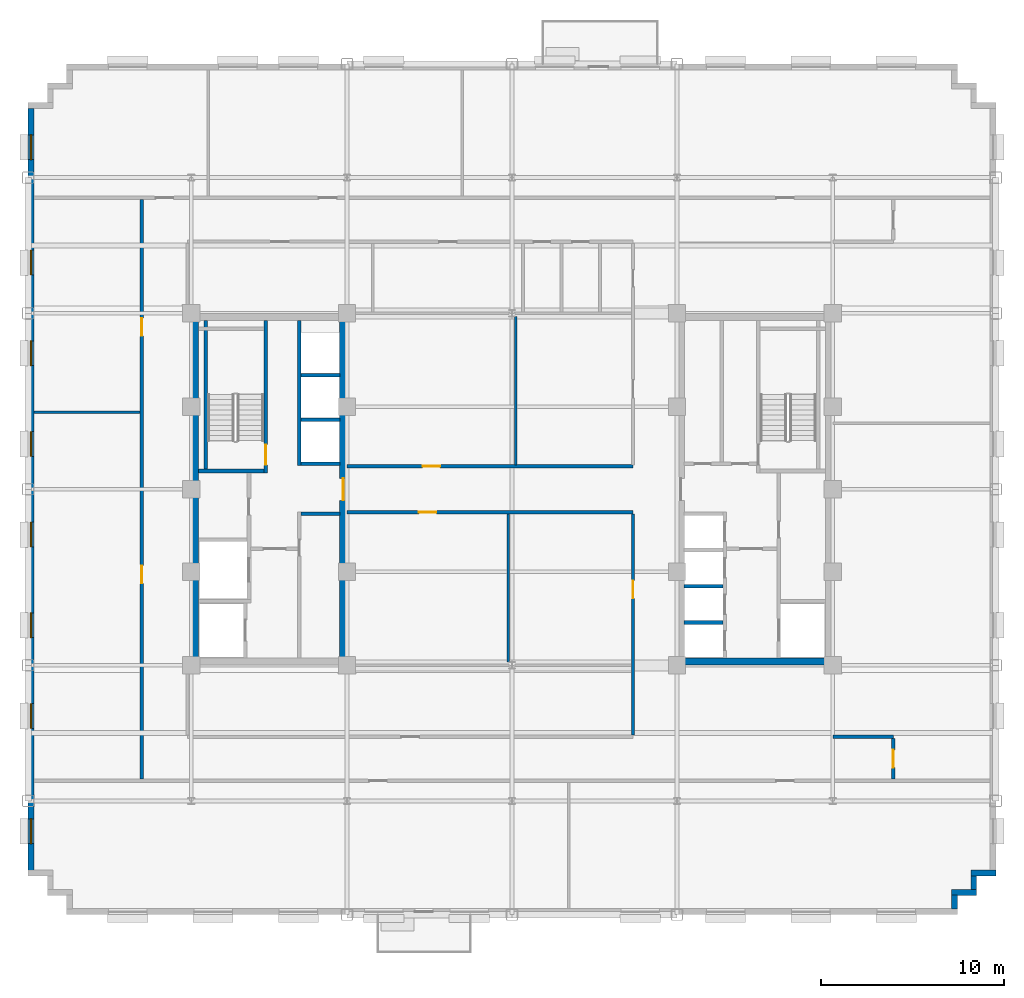
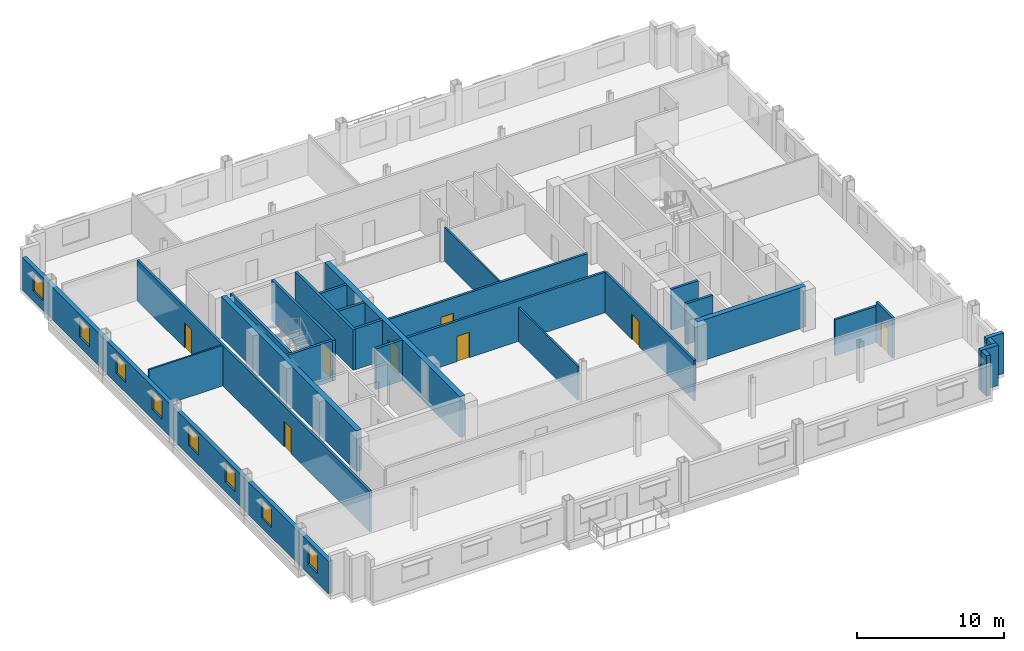
# One storey, part 7 of 14: 27 walls, 8 doors, 8 windows, 16 openings.
"""IFC4 building model written with IfcOpenShell, lengths in metres."""

from ifc_helpers import new_model, si_unit, direction, frame, frame_2d, origin, place, context, subcontext, project, spatial, rectangle, extrude, source, transform, mapped, material, layer, layer_set, type_object, type_shapes, element, fill, save


model = new_model("IFC4")

# Units and contexts
model_context = context("Model", 3, precision=1e-05, world=origin(), true_north=direction((0.0, 1.0)))
body_context = subcontext(model_context, "Body", "Model", "MODEL_VIEW")
ifc_project = project(units=[si_unit("LENGTHUNIT", "METRE"), si_unit("AREAUNIT", "SQUARE_METRE"), si_unit("VOLUMEUNIT", "CUBIC_METRE"), si_unit("PLANEANGLEUNIT", "RADIAN"), si_unit("MASSUNIT", "GRAM", prefix="KILO")], contexts=[model_context])

# Site, building, storey
site_placement = place(None, origin())
site = spatial("IfcSite", under=ifc_project, at=site_placement, CompositionType="ELEMENT")
building_placement = place(site_placement, origin())
building = spatial("IfcBuilding", under=site, at=building_placement, Name="Nuvemarco Arch Tower", CompositionType="ELEMENT")
storey_placement = place(building_placement, frame((0.0, 0.0, 142.10009765625)))
storey = spatial("IfcBuildingStorey", under=building, at=storey_placement, Name="L37", CompositionType="ELEMENT", Elevation=142.10009765625)

# Walls
ifc_material_1 = material(Name="Precast concrete C45/55", Category="concrete")
ifc_layer_1 = layer(ifc_material_1, 0.320068359375, Name="EW-MID-320")
ifc_layer_set_1 = layer_set([ifc_layer_1], Name="Precast concrete C45/55")
wall_type_1 = type_object("IfcWallType", Name="EW-MID-320", PredefinedType="STANDARD", material=ifc_layer_set_1)
wall_1_placement = place(storey_placement, frame((24.139892578125, -22.884033203125, 0.0), z_axis=(0.0, 0.0, 1.0), x_axis=(0.0, 1.0, 0.0)))
element("IfcWall", 1, at=wall_1_placement, inside=storey, type_object=wall_type_1, Name="L37 exterior precast facade wall 2", PredefinedType="STANDARD", context=body_context, shape_type="SweptSolid", body=[
    extrude(rectangle(XDim=0.738037109375, YDim=0.320068359375, at=frame_2d((0.369140625, 0.0))), origin(), (0.0, 0.0, 1.0), 3.35986328125),
])
wall_2_placement = place(storey_placement, frame((23.97998046875, -21.989990234375, 0.0), z_axis=(0.0, 0.0, 1.0), x_axis=(1.0, 0.0, 0.0)))
element("IfcWall", 2, at=wall_2_placement, inside=storey, type_object=wall_type_1, Name="L37 exterior precast facade wall 3", PredefinedType="STANDARD", context=body_context, shape_type="SweptSolid", body=[
    extrude(rectangle(XDim=1.3701171875, YDim=0.320068359375, at=frame_2d((0.68505859375, 0.0))), origin(), (0.0, 0.0, 1.0), 3.35986328125),
])
wall_3_placement = place(storey_placement, frame((25.18994140625, -21.833984375, 0.0), z_axis=(0.0, 0.0, 1.0), x_axis=(0.0, 1.0, 0.0)))
element("IfcWall", 3, at=wall_3_placement, inside=storey, type_object=wall_type_1, Name="L37 exterior precast facade wall 4", PredefinedType="STANDARD", context=body_context, shape_type="SweptSolid", body=[
    extrude(rectangle(XDim=0.738037109375, YDim=0.320068359375, at=frame_2d((0.369140625, 0.0))), origin(), (0.0, 0.0, 1.0), 3.35986328125),
])
wall_4_placement = place(storey_placement, frame((25.030029296875, -20.93994140625, 0.0), z_axis=(0.0, 0.0, 1.0), x_axis=(1.0, 0.0, 0.0)))
element("IfcWall", 4, at=wall_4_placement, inside=storey, type_object=wall_type_1, Name="L37 exterior precast facade wall 5", PredefinedType="STANDARD", context=body_context, shape_type="SweptSolid", body=[
    extrude(rectangle(XDim=1.369873046875, YDim=0.320068359375, at=frame_2d((0.68505859375, 0.0))), origin(), (0.0, 0.0, 1.0), 3.35986328125),
])

# Wall, openings, windows
wall_5_placement = place(storey_placement, frame((-26.239990234375, -20.783935546875, 0.0), z_axis=(0.0, 0.0, 1.0), x_axis=(0.0, 1.0, 0.0)))
wall_5 = element("IfcWall", 5, at=wall_5_placement, inside=storey, type_object=wall_type_1, Name="L37 exterior precast facade wall 16", PredefinedType="STANDARD", context=body_context, shape_type="SweptSolid", body=[
    extrude(rectangle(XDim=41.56787109375, YDim=0.320068359375, at=frame_2d((20.783935546875, 0.0))), origin(), (0.0, 0.0, 1.0), 2.704833984375),
])
opening_1_placement = place(wall_5_placement, frame((1.447998046875, 0.0, 0.800048828125)))
opening_1 = element("IfcOpeningElement", 6, at=opening_1_placement, cuts=wall_5, Name="Opening WN-6", PredefinedType="OPENING", context=body_context, shape_type="SweptSolid", body=[
    extrude(rectangle(XDim=1.35009765625, YDim=1.56005859375, at=frame_2d((0.675048828125, 0.780029296875))), frame((0.0, 0.169921875, 0.0), z_axis=(0.0, -1.0, 0.0), x_axis=(1.0, 0.0, 0.0)), (0.0, 0.0, 1.0), 0.340087890625),
])
opening_2_placement = place(wall_5_placement, frame((7.743896484375, 0.0, 0.800048828125)))
opening_2 = element("IfcOpeningElement", 7, at=opening_2_placement, cuts=wall_5, Name="Opening WN-6", PredefinedType="OPENING", context=body_context, shape_type="SweptSolid", body=[
    extrude(rectangle(XDim=1.35009765625, YDim=1.56005859375, at=frame_2d((0.675048828125, 0.780029296875))), frame((0.0, 0.169921875, 0.0), z_axis=(0.0, -1.0, 0.0), x_axis=(1.0, 0.0, 0.0)), (0.0, 0.0, 1.0), 0.340087890625),
])
opening_3_placement = place(wall_5_placement, frame((12.68994140625, 0.0, 0.800048828125)))
opening_3 = element("IfcOpeningElement", 8, at=opening_3_placement, cuts=wall_5, Name="Opening WN-6", PredefinedType="OPENING", context=body_context, shape_type="SweptSolid", body=[
    extrude(rectangle(XDim=1.35009765625, YDim=1.56005859375, at=frame_2d((0.675048828125, 0.780029296875))), frame((0.0, 0.169921875, 0.0), z_axis=(0.0, -1.0, 0.0), x_axis=(1.0, 0.0, 0.0)), (0.0, 0.0, 1.0), 0.340087890625),
])
opening_4_placement = place(wall_5_placement, frame((17.635986328125, 0.0, 0.800048828125)))
opening_4 = element("IfcOpeningElement", 9, at=opening_4_placement, cuts=wall_5, Name="Opening WN-6", PredefinedType="OPENING", context=body_context, shape_type="SweptSolid", body=[
    extrude(rectangle(XDim=1.35009765625, YDim=1.56005859375, at=frame_2d((0.675048828125, 0.780029296875))), frame((0.0, 0.169921875, 0.0), z_axis=(0.0, -1.0, 0.0), x_axis=(1.0, 0.0, 0.0)), (0.0, 0.0, 1.0), 0.340087890625),
])
opening_5_placement = place(wall_5_placement, frame((22.58203125, 0.0, 0.800048828125)))
opening_5 = element("IfcOpeningElement", 10, at=opening_5_placement, cuts=wall_5, Name="Opening WN-6", PredefinedType="OPENING", context=body_context, shape_type="SweptSolid", body=[
    extrude(rectangle(XDim=1.35009765625, YDim=1.56005859375, at=frame_2d((0.675048828125, 0.780029296875))), frame((0.0, 0.169921875, 0.0), z_axis=(0.0, -1.0, 0.0), x_axis=(1.0, 0.0, 0.0)), (0.0, 0.0, 1.0), 0.340087890625),
])
opening_6_placement = place(wall_5_placement, frame((27.528076171875, 0.0, 0.800048828125)))
opening_6 = element("IfcOpeningElement", 11, at=opening_6_placement, cuts=wall_5, Name="Opening WN-6", PredefinedType="OPENING", context=body_context, shape_type="SweptSolid", body=[
    extrude(rectangle(XDim=1.35009765625, YDim=1.56005859375, at=frame_2d((0.675048828125, 0.780029296875))), frame((0.0, 0.169921875, 0.0), z_axis=(0.0, -1.0, 0.0), x_axis=(1.0, 0.0, 0.0)), (0.0, 0.0, 1.0), 0.340087890625),
])
opening_7_placement = place(wall_5_placement, frame((32.47412109375, 0.0, 0.800048828125)))
opening_7 = element("IfcOpeningElement", 12, at=opening_7_placement, cuts=wall_5, Name="Opening WN-6", PredefinedType="OPENING", context=body_context, shape_type="SweptSolid", body=[
    extrude(rectangle(XDim=1.35009765625, YDim=1.56005859375, at=frame_2d((0.675048828125, 0.780029296875))), frame((0.0, 0.169921875, 0.0), z_axis=(0.0, -1.0, 0.0), x_axis=(1.0, 0.0, 0.0)), (0.0, 0.0, 1.0), 0.340087890625),
])
opening_8_placement = place(wall_5_placement, frame((38.77001953125, 0.0, 0.800048828125)))
opening_8 = element("IfcOpeningElement", 13, at=opening_8_placement, cuts=wall_5, Name="Opening WN-6", PredefinedType="OPENING", context=body_context, shape_type="SweptSolid", body=[
    extrude(rectangle(XDim=1.35009765625, YDim=1.56005859375, at=frame_2d((0.675048828125, 0.780029296875))), frame((0.0, 0.169921875, 0.0), z_axis=(0.0, -1.0, 0.0), x_axis=(1.0, 0.0, 0.0)), (0.0, 0.0, 1.0), 0.340087890625),
])
ifc_material_2 = material(Name="Insulated solar-control glass", Category="glass")
window_type = type_object("IfcWindowType", Name="WN-MID-1350x1560", PartitioningType="SINGLE_PANEL", PredefinedType="WINDOW", material=ifc_material_2)
shared_shape_1 = source(origin(), body_context, "Body", "SweptSolid", [
    extrude(rectangle(XDim=1.35009765625, YDim=1.56005859375, at=frame_2d((0.675048828125, 0.780029296875))), frame((0.0, 0.030029296875, 0.0), z_axis=(0.0, -1.0, 0.0), x_axis=(1.0, 0.0, 0.0)), (0.0, 0.0, 1.0), 0.06005859375),
])
type_shapes(window_type, [shared_shape_1])
window_1_placement = place(opening_1_placement, origin())
window_1 = element("IfcWindow", 14, at=window_1_placement, inside=storey, type_object=window_type, Name="L37 punched facade window 1", OverallHeight=1.56005859375, OverallWidth=1.35009765625, PartitioningType="SINGLE_PANEL", PredefinedType="WINDOW", context=body_context, shape_type="MappedRepresentation", body=[
    mapped(shared_shape_1, transform((0.0, 0.0, 0.0), scale=1.0)),
])
fill(opening_1, window_1)
window_2_placement = place(opening_2_placement, origin())
window_2 = element("IfcWindow", 15, at=window_2_placement, inside=storey, type_object=window_type, Name="L37 punched facade window 2", OverallHeight=1.56005859375, OverallWidth=1.35009765625, PartitioningType="SINGLE_PANEL", PredefinedType="WINDOW", context=body_context, shape_type="MappedRepresentation", body=[
    mapped(shared_shape_1, transform((0.0, 0.0, 0.0), scale=1.0)),
])
fill(opening_2, window_2)
window_3_placement = place(opening_3_placement, origin())
window_3 = element("IfcWindow", 16, at=window_3_placement, inside=storey, type_object=window_type, Name="L37 punched facade window 3", OverallHeight=1.56005859375, OverallWidth=1.35009765625, PartitioningType="SINGLE_PANEL", PredefinedType="WINDOW", context=body_context, shape_type="MappedRepresentation", body=[
    mapped(shared_shape_1, transform((0.0, 0.0, 0.0), scale=1.0)),
])
fill(opening_3, window_3)
window_4_placement = place(opening_4_placement, origin())
window_4 = element("IfcWindow", 17, at=window_4_placement, inside=storey, type_object=window_type, Name="L37 punched facade window 4", OverallHeight=1.56005859375, OverallWidth=1.35009765625, PartitioningType="SINGLE_PANEL", PredefinedType="WINDOW", context=body_context, shape_type="MappedRepresentation", body=[
    mapped(shared_shape_1, transform((0.0, 0.0, 0.0), scale=1.0)),
])
fill(opening_4, window_4)
window_5_placement = place(opening_5_placement, origin())
window_5 = element("IfcWindow", 18, at=window_5_placement, inside=storey, type_object=window_type, Name="L37 punched facade window 5", OverallHeight=1.56005859375, OverallWidth=1.35009765625, PartitioningType="SINGLE_PANEL", PredefinedType="WINDOW", context=body_context, shape_type="MappedRepresentation", body=[
    mapped(shared_shape_1, transform((0.0, 0.0, 0.0), scale=1.0)),
])
fill(opening_5, window_5)
window_6_placement = place(opening_6_placement, origin())
window_6 = element("IfcWindow", 19, at=window_6_placement, inside=storey, type_object=window_type, Name="L37 punched facade window 6", OverallHeight=1.56005859375, OverallWidth=1.35009765625, PartitioningType="SINGLE_PANEL", PredefinedType="WINDOW", context=body_context, shape_type="MappedRepresentation", body=[
    mapped(shared_shape_1, transform((0.0, 0.0, 0.0), scale=1.0)),
])
fill(opening_6, window_6)
window_7_placement = place(opening_7_placement, origin())
window_7 = element("IfcWindow", 20, at=window_7_placement, inside=storey, type_object=window_type, Name="L37 punched facade window 7", OverallHeight=1.56005859375, OverallWidth=1.35009765625, PartitioningType="SINGLE_PANEL", PredefinedType="WINDOW", context=body_context, shape_type="MappedRepresentation", body=[
    mapped(shared_shape_1, transform((0.0, 0.0, 0.0), scale=1.0)),
])
fill(opening_7, window_7)
window_8_placement = place(opening_8_placement, origin())
window_8 = element("IfcWindow", 21, at=window_8_placement, inside=storey, type_object=window_type, Name="L37 punched facade window 8", OverallHeight=1.56005859375, OverallWidth=1.35009765625, PartitioningType="SINGLE_PANEL", PredefinedType="WINDOW", context=body_context, shape_type="MappedRepresentation", body=[
    mapped(shared_shape_1, transform((0.0, 0.0, 0.0), scale=1.0)),
])
fill(opening_8, window_8)

# Wall
ifc_material_3 = material(Name="Concrete C60/75", Category="concrete")
ifc_layer_2 = layer(ifc_material_3, 0.39990234375, Name="WL-CORE-400")
ifc_layer_set_2 = layer_set([ifc_layer_2], Name="Concrete C60/75")
wall_type_2 = type_object("IfcWallType", Name="WL-CORE-400", PredefinedType="SHEAR", material=ifc_layer_set_2)
wall_6_placement = place(storey_placement, frame((-17.300048828125, -9.205078125, 0.0), z_axis=(0.0, 0.0, 1.0), x_axis=(0.0, 1.0, 0.0)))
element("IfcWall", 22, at=wall_6_placement, inside=storey, type_object=wall_type_2, Name="L37 W-core shear wall W", PredefinedType="SHEAR", context=body_context, shape_type="SweptSolid", body=[
    extrude(rectangle(XDim=18.41015625, YDim=0.39990234375, at=frame_2d((9.205078125, 0.0))), origin(), (0.0, 0.0, 1.0), 3.369873046875),
])

# Wall, opening, door
wall_7_placement = place(storey_placement, frame((-9.199951171875, -9.205078125, 0.0), z_axis=(0.0, 0.0, 1.0), x_axis=(0.0, 1.0, 0.0)))
wall_7 = element("IfcWall", 23, at=wall_7_placement, inside=storey, type_object=wall_type_2, Name="L37 W-core shear wall E", PredefinedType="SHEAR", context=body_context, shape_type="SweptSolid", body=[
    extrude(rectangle(XDim=18.41015625, YDim=0.39990234375, at=frame_2d((9.205078125, 0.0))), origin(), (0.0, 0.0, 1.0), 3.369873046875),
])
opening_9_placement = place(wall_7_placement, frame((8.60498046875, 0.0, 0.0)))
opening_9 = element("IfcOpeningElement", 24, at=opening_9_placement, cuts=wall_7, Name="Opening FD-2", PredefinedType="OPENING", context=body_context, shape_type="SweptSolid", body=[
    extrude(rectangle(XDim=1.199951171875, YDim=2.14990234375, at=frame_2d((0.60009765625, 1.074951171875))), frame((0.0, 0.2099609375, 0.0), z_axis=(0.0, -1.0, 0.0), x_axis=(1.0, 0.0, 0.0)), (0.0, 0.0, 1.0), 0.419921875),
])
ifc_material_4 = material(Name="Anodised steel fire door", Category="steel")
door_type_1 = type_object("IfcDoorType", Name="DR-FFLOB-FD", OperationType="NOTDEFINED", PredefinedType="DOOR", material=ifc_material_4)
shared_shape_2 = source(origin(), body_context, "Body", "SweptSolid", [
    extrude(rectangle(XDim=1.199951171875, YDim=2.14990234375, at=frame_2d((0.60009765625, 1.074951171875))), frame((0.0, 0.02490234375, 0.0), z_axis=(0.0, -1.0, 0.0), x_axis=(1.0, 0.0, 0.0)), (0.0, 0.0, 1.0), 0.050048828125),
])
type_shapes(door_type_1, [shared_shape_2])
door_1_placement = place(opening_9_placement, origin())
door_1 = element("IfcDoor", 25, at=door_1_placement, inside=storey, type_object=door_type_1, Name="L37 door FD-L37-WCORE-E", OperationType="SINGLE_SWING_LEFT", OverallHeight=2.14990234375, OverallWidth=1.199951171875, PredefinedType="DOOR", context=body_context, shape_type="MappedRepresentation", body=[
    mapped(shared_shape_2, transform((0.0, 0.0, 0.0), scale=1.0)),
])
fill(opening_9, door_1)

# Walls
wall_8_placement = place(storey_placement, frame((9.0, -9.39990234375, 0.0), z_axis=(0.0, 0.0, 1.0), x_axis=(1.0, 0.0, 0.0)))
element("IfcWall", 26, at=wall_8_placement, inside=storey, type_object=wall_type_2, Name="L37 E-core shear wall S", PredefinedType="SHEAR", context=body_context, shape_type="SweptSolid", body=[
    extrude(rectangle(XDim=8.5, YDim=0.39990234375, at=frame_2d((4.25, 0.0))), origin(), (0.0, 0.0, 1.0), 3.369873046875),
])
ifc_material_5 = material(Name="Fire-rated gypsum drywall partition")
ifc_layer_3 = layer(ifc_material_5, 0.179931640625, Name="WL-CORR-180")
ifc_layer_set_3 = layer_set([ifc_layer_3], Name="Fire-rated gypsum drywall partition")
wall_type_3 = type_object("IfcWallType", Name="WL-CORR-180", PredefinedType="PARTITIONING", material=ifc_layer_set_3)
wall_9_placement = place(storey_placement, frame((17.5, -13.5, 0.0), z_axis=(0.0, 0.0, 1.0), x_axis=(1.0, 0.0, 0.0)))
element("IfcWall", 27, at=wall_9_placement, inside=storey, type_object=wall_type_3, Name="L37 interior wall IW-L37-003", PredefinedType="PARTITIONING", context=body_context, shape_type="SweptSolid", body=[
    extrude(rectangle(XDim=3.300048828125, YDim=0.179931640625, at=frame_2d((1.64990234375, 0.0))), origin(), (0.0, 0.0, 1.0), 2.997802734375),
])

# Wall, opening, door
wall_10_placement = place(storey_placement, frame((-9.0, -1.25, 0.0), z_axis=(0.0, 0.0, 1.0), x_axis=(1.0, 0.0, 0.0)))
wall_10 = element("IfcWall", 28, at=wall_10_placement, inside=storey, type_object=wall_type_3, Name="L37 interior wall IW-L37-006", PredefinedType="PARTITIONING", context=body_context, shape_type="SweptSolid", body=[
    extrude(rectangle(XDim=15.60009765625, YDim=0.179931640625, at=frame_2d((7.800048828125, 0.0))), origin(), (0.0, 0.0, 1.0), 3.35986328125),
])
opening_10_placement = place(wall_10_placement, frame((3.919921875, 0.0, 0.0)))
opening_10 = element("IfcOpeningElement", 29, at=opening_10_placement, cuts=wall_10, Name="Opening FD-5", PredefinedType="OPENING", context=body_context, shape_type="SweptSolid", body=[
    extrude(rectangle(XDim=0.9599609375, YDim=2.10009765625, at=frame_2d((0.47998046875, 1.050048828125))), frame((0.0, 0.099853515625, 0.0), z_axis=(0.0, -1.0, 0.0), x_axis=(1.0, 0.0, 0.0)), (0.0, 0.0, 1.0), 0.199951171875),
])
ifc_material_6 = material(Name="Timber fire door", Category="wood")
door_type_2 = type_object("IfcDoorType", Name="DR-CORR-FD", OperationType="NOTDEFINED", PredefinedType="DOOR", material=ifc_material_6)
shared_shape_3 = source(origin(), body_context, "Body", "SweptSolid", [
    extrude(rectangle(XDim=0.9599609375, YDim=2.10009765625, at=frame_2d((0.47998046875, 1.050048828125))), frame((0.0, 0.02490234375, 0.0), z_axis=(0.0, -1.0, 0.0), x_axis=(1.0, 0.0, 0.0)), (0.0, 0.0, 1.0), 0.050048828125),
])
type_shapes(door_type_2, [shared_shape_3])
door_2_placement = place(opening_10_placement, origin())
door_2 = element("IfcDoor", 30, at=door_2_placement, inside=storey, type_object=door_type_2, Name="L37 door DR-L37-C_SW", OperationType="SINGLE_SWING_RIGHT", OverallHeight=2.10009765625, OverallWidth=0.9599609375, PredefinedType="DOOR", context=body_context, shape_type="MappedRepresentation", body=[
    mapped(shared_shape_3, transform((0.0, 0.0, 0.0), scale=1.0)),
])
fill(opening_10, door_2)

wall_11_placement = place(storey_placement, frame((-9.0, 1.25, 0.0), z_axis=(0.0, 0.0, 1.0), x_axis=(1.0, 0.0, 0.0)))
wall_11 = element("IfcWall", 31, at=wall_11_placement, inside=storey, type_object=wall_type_3, Name="L37 interior wall IW-L37-007", PredefinedType="PARTITIONING", context=body_context, shape_type="SweptSolid", body=[
    extrude(rectangle(XDim=15.60009765625, YDim=0.179931640625, at=frame_2d((7.800048828125, 0.0))), origin(), (0.0, 0.0, 1.0), 3.35986328125),
])
opening_11_placement = place(wall_11_placement, frame((4.1201171875, 0.0, 0.0)))
opening_11 = element("IfcOpeningElement", 32, at=opening_11_placement, cuts=wall_11, Name="Opening FD-5", PredefinedType="OPENING", context=body_context, shape_type="SweptSolid", body=[
    extrude(rectangle(XDim=0.9599609375, YDim=2.10009765625, at=frame_2d((0.47998046875, 1.050048828125))), frame((0.0, 0.099853515625, 0.0), z_axis=(0.0, -1.0, 0.0), x_axis=(1.0, 0.0, 0.0)), (0.0, 0.0, 1.0), 0.199951171875),
])
door_3_placement = place(opening_11_placement, origin())
door_3 = element("IfcDoor", 33, at=door_3_placement, inside=storey, type_object=door_type_2, Name="L37 door DR-L37-C_NW", OperationType="SINGLE_SWING_LEFT", OverallHeight=2.10009765625, OverallWidth=0.9599609375, PredefinedType="DOOR", context=body_context, shape_type="MappedRepresentation", body=[
    mapped(shared_shape_3, transform((0.0, 0.0, 0.0), scale=1.0)),
])
fill(opening_11, door_3)

# Wall, openings, doors
wall_12_placement = place(storey_placement, frame((-20.199951171875, -15.81396484375, 0.0), z_axis=(0.0, 0.0, 1.0), x_axis=(0.0, 1.0, 0.0)))
wall_12 = element("IfcWall", 34, at=wall_12_placement, inside=storey, type_object=wall_type_3, Name="L37 interior wall IW-L37-015", PredefinedType="PARTITIONING", context=body_context, shape_type="SweptSolid", body=[
    extrude(rectangle(XDim=31.6279296875, YDim=0.179931640625, at=frame_2d((15.81396484375, 0.0))), origin(), (0.0, 0.0, 1.0), 3.35986328125),
])
opening_12_placement = place(wall_12_placement, frame((10.68408203125, 0.0, 0.0)))
opening_12 = element("IfcOpeningElement", 35, at=opening_12_placement, cuts=wall_12, Name="Opening FD-5", PredefinedType="OPENING", context=body_context, shape_type="SweptSolid", body=[
    extrude(rectangle(XDim=0.9599609375, YDim=2.10009765625, at=frame_2d((0.47998046875, 1.050048828125))), frame((0.0, 0.099853515625, 0.0), z_axis=(0.0, -1.0, 0.0), x_axis=(1.0, 0.0, 0.0)), (0.0, 0.0, 1.0), 0.199951171875),
])
opening_13_placement = place(wall_12_placement, frame((24.18408203125, 0.0, 0.0)))
opening_13 = element("IfcOpeningElement", 36, at=opening_13_placement, cuts=wall_12, Name="Opening FD-5", PredefinedType="OPENING", context=body_context, shape_type="SweptSolid", body=[
    extrude(rectangle(XDim=0.9599609375, YDim=2.10009765625, at=frame_2d((0.47998046875, 1.050048828125))), frame((0.0, 0.099853515625, 0.0), z_axis=(0.0, -1.0, 0.0), x_axis=(1.0, 0.0, 0.0)), (0.0, 0.0, 1.0), 0.199951171875),
])
door_4_placement = place(opening_12_placement, origin())
door_4 = element("IfcDoor", 37, at=door_4_placement, inside=storey, type_object=door_type_2, Name="L37 door DR-L37-W_1", OperationType="SINGLE_SWING_LEFT", OverallHeight=2.10009765625, OverallWidth=0.9599609375, PredefinedType="DOOR", context=body_context, shape_type="MappedRepresentation", body=[
    mapped(shared_shape_3, transform((0.0, 0.0, 0.0), scale=1.0)),
])
fill(opening_12, door_4)
door_5_placement = place(opening_13_placement, origin())
door_5 = element("IfcDoor", 38, at=door_5_placement, inside=storey, type_object=door_type_2, Name="L37 door DR-L37-W_2", OperationType="SINGLE_SWING_RIGHT", OverallHeight=2.10009765625, OverallWidth=0.9599609375, PredefinedType="DOOR", context=body_context, shape_type="MappedRepresentation", body=[
    mapped(shared_shape_3, transform((0.0, 0.0, 0.0), scale=1.0)),
])
fill(opening_13, door_5)

# Wall, opening, door
wall_13_placement = place(storey_placement, frame((6.60009765625, -13.4140625, 0.0), z_axis=(0.0, 0.0, 1.0), x_axis=(0.0, 1.0, 0.0)))
wall_13 = element("IfcWall", 39, at=wall_13_placement, inside=storey, type_object=wall_type_3, Name="L37 interior wall IW-L37-027", PredefinedType="PARTITIONING", context=body_context, shape_type="SweptSolid", body=[
    extrude(rectangle(XDim=12.078125, YDim=0.179931640625, at=frame_2d((6.0390625, 0.0))), origin(), (0.0, 0.0, 1.0), 3.35986328125),
])
opening_14_placement = place(wall_13_placement, frame((7.466064453125, 0.0, 0.0)))
opening_14 = element("IfcOpeningElement", 40, at=opening_14_placement, cuts=wall_13, Name="Opening FD-5", PredefinedType="OPENING", context=body_context, shape_type="SweptSolid", body=[
    extrude(rectangle(XDim=0.9599609375, YDim=2.10009765625, at=frame_2d((0.47998046875, 1.050048828125))), frame((0.0, 0.099853515625, 0.0), z_axis=(0.0, -1.0, 0.0), x_axis=(1.0, 0.0, 0.0)), (0.0, 0.0, 1.0), 0.199951171875),
])
door_6_placement = place(opening_14_placement, origin())
door_6 = element("IfcDoor", 41, at=door_6_placement, inside=storey, type_object=door_type_2, Name="L37 door DR-L37-C_SE", OperationType="SINGLE_SWING_RIGHT", OverallHeight=2.10009765625, OverallWidth=0.9599609375, PredefinedType="DOOR", context=body_context, shape_type="MappedRepresentation", body=[
    mapped(shared_shape_3, transform((0.0, 0.0, 0.0), scale=1.0)),
])
fill(opening_14, door_6)

wall_14_placement = place(storey_placement, frame((20.800048828125, -15.81396484375, 0.0), z_axis=(0.0, 0.0, 1.0), x_axis=(0.0, 1.0, 0.0)))
wall_14 = element("IfcWall", 42, at=wall_14_placement, inside=storey, type_object=wall_type_3, Name="L37 interior wall IW-L37-029", PredefinedType="PARTITIONING", context=body_context, shape_type="SweptSolid", body=[
    extrude(rectangle(XDim=2.22802734375, YDim=0.179931640625, at=frame_2d((1.114013671875, 0.0))), origin(), (0.0, 0.0, 1.0), 3.35986328125),
])
opening_15_placement = place(wall_14_placement, frame((0.634033203125, 0.0, 0.0)))
opening_15 = element("IfcOpeningElement", 43, at=opening_15_placement, cuts=wall_14, Name="Opening FD-5", PredefinedType="OPENING", context=body_context, shape_type="SweptSolid", body=[
    extrude(rectangle(XDim=0.9599609375, YDim=2.10009765625, at=frame_2d((0.47998046875, 1.050048828125))), frame((0.0, 0.099853515625, 0.0), z_axis=(0.0, -1.0, 0.0), x_axis=(1.0, 0.0, 0.0)), (0.0, 0.0, 1.0), 0.199951171875),
])
door_7_placement = place(opening_15_placement, origin())
door_7 = element("IfcDoor", 44, at=door_7_placement, inside=storey, type_object=door_type_2, Name="L37 door DR-L37-E_1", OperationType="SINGLE_SWING_RIGHT", OverallHeight=2.10009765625, OverallWidth=0.9599609375, PredefinedType="DOOR", context=body_context, shape_type="MappedRepresentation", body=[
    mapped(shared_shape_3, transform((0.0, 0.0, 0.0), scale=1.0)),
])
fill(opening_15, door_7)

# Walls
ifc_material_7 = material(Name="Glazed acoustic office partition")
ifc_layer_4 = layer(ifc_material_7, 0.1298828125, Name="WL-EXEC-130")
ifc_layer_set_4 = layer_set([ifc_layer_4], Name="Glazed acoustic office partition")
wall_type_4 = type_object("IfcWallType", Name="WL-EXEC-130", PredefinedType="PARTITIONING", material=ifc_layer_set_4)
wall_15_placement = place(storey_placement, frame((-26.080078125, 4.199951171875, 0.0), z_axis=(0.0, 0.0, 1.0), x_axis=(1.0, 0.0, 0.0)))
element("IfcWall", 45, at=wall_15_placement, inside=storey, type_object=wall_type_4, Name="L37 interior wall IW-L37-009", PredefinedType="PARTITIONING", context=body_context, shape_type="SweptSolid", body=[
    extrude(rectangle(XDim=5.794189453125, YDim=0.1298828125, at=frame_2d((2.89697265625, 0.0))), origin(), (0.0, 0.0, 1.0), 3.35986328125),
])
wall_16_placement = place(storey_placement, frame((0.199951171875, 1.3359375, 0.0), z_axis=(0.0, 0.0, 1.0), x_axis=(0.0, 1.0, 0.0)))
element("IfcWall", 46, at=wall_16_placement, inside=storey, type_object=wall_type_4, Name="L37 interior wall IW-L37-022", PredefinedType="PARTITIONING", context=body_context, shape_type="SweptSolid", body=[
    extrude(rectangle(XDim=8.088134765625, YDim=0.1298828125, at=frame_2d((4.0439453125, 0.0))), origin(), (0.0, 0.0, 1.0), 2.81591796875),
])
ifc_material_8 = material(Name="Gypsum plasterboard partition")
ifc_layer_5 = layer(ifc_material_8, 0.139892578125, Name="WL-ROOM-140")
ifc_layer_set_5 = layer_set([ifc_layer_5], Name="Gypsum plasterboard partition")
wall_type_5 = type_object("IfcWallType", Name="WL-ROOM-140", PredefinedType="PARTITIONING", material=ifc_layer_set_5)
wall_17_placement = place(storey_placement, frame((-0.199951171875, -9.424072265625, 0.0), z_axis=(0.0, 0.0, 1.0), x_axis=(0.0, 1.0, 0.0)))
element("IfcWall", 47, at=wall_17_placement, inside=storey, type_object=wall_type_5, Name="L37 interior wall IW-L37-021", PredefinedType="PARTITIONING", context=body_context, shape_type="SweptSolid", body=[
    extrude(rectangle(XDim=8.088134765625, YDim=0.139892578125, at=frame_2d((4.0439453125, 0.0))), origin(), (0.0, 0.0, 1.0), 2.81591796875),
])

# Wall, opening, door
ifc_material_9 = material(Name="Concrete C50/60", Category="concrete")
ifc_layer_6 = layer(ifc_material_9, 0.199951171875, Name="WL-SHAFT-220")
ifc_layer_set_6 = layer_set([ifc_layer_6], Name="Concrete C50/60")
wall_type_6 = type_object("IfcWallType", Name="WL-SHAFT-220", PredefinedType="SHEAR", material=ifc_layer_set_6)
wall_18_placement = place(storey_placement, frame((-13.43994140625, 0.89990234375, 0.0), z_axis=(0.0, 0.0, 1.0), x_axis=(0.0, 1.0, 0.0)))
wall_18 = element("IfcWall", 48, at=wall_18_placement, inside=storey, type_object=wall_type_6, Name="L37 structural shaft wall SW-L37-W-ST1E", PredefinedType="SHEAR", context=body_context, shape_type="SweptSolid", body=[
    extrude(rectangle(XDim=8.30517578125, YDim=0.199951171875, at=frame_2d((4.152587890625, 0.0))), origin(), (0.0, 0.0, 1.0), 3.369873046875),
])
opening_16_placement = place(wall_18_placement, frame((1.530029296875, 0.0, 0.0), z_axis=(0.0, 0.0, 1.0), x_axis=(-1.0, 0.0, 0.0)))
opening_16 = element("IfcOpeningElement", 49, at=opening_16_placement, cuts=wall_18, Name="Opening FD-1", PredefinedType="OPENING", context=body_context, shape_type="SweptSolid", body=[
    extrude(rectangle(XDim=1.10009765625, YDim=2.14990234375, at=frame_2d((0.550048828125, 1.074951171875))), frame((0.0, 0.10986328125, 0.0), z_axis=(0.0, -1.0, 0.0), x_axis=(1.0, 0.0, 0.0)), (0.0, 0.0, 1.0), 0.219970703125),
])
door_type_3 = type_object("IfcDoorType", Name="DR-STAIR-FD", OperationType="NOTDEFINED", PredefinedType="DOOR", material=ifc_material_4)
shared_shape_4 = source(origin(), body_context, "Body", "SweptSolid", [
    extrude(rectangle(XDim=1.10009765625, YDim=2.14990234375, at=frame_2d((0.550048828125, 1.074951171875))), frame((0.0, 0.02490234375, 0.0), z_axis=(0.0, -1.0, 0.0), x_axis=(1.0, 0.0, 0.0)), (0.0, 0.0, 1.0), 0.050048828125),
])
type_shapes(door_type_3, [shared_shape_4])
door_8_placement = place(opening_16_placement, origin())
door_8 = element("IfcDoor", 50, at=door_8_placement, inside=storey, type_object=door_type_3, Name="L37 door FD-L37-ST1", OperationType="SINGLE_SWING_RIGHT", OverallHeight=2.14990234375, OverallWidth=1.10009765625, PredefinedType="DOOR", context=body_context, shape_type="MappedRepresentation", body=[
    mapped(shared_shape_4, transform((0.0, 0.0, 0.0), scale=1.0)),
])
fill(opening_16, door_8)

# Walls
wall_19_placement = place(storey_placement, frame((-17.10498046875, 1.0, 0.0), z_axis=(0.0, 0.0, 1.0), x_axis=(1.0, 0.0, 0.0)))
element("IfcWall", 51, at=wall_19_placement, inside=storey, type_object=wall_type_6, Name="L37 structural shaft wall SW-L37-W-ST1S", PredefinedType="SHEAR", context=body_context, shape_type="SweptSolid", body=[
    extrude(rectangle(XDim=3.570068359375, YDim=0.199951171875, at=frame_2d((1.78515625, 0.0))), origin(), (0.0, 0.0, 1.0), 3.369873046875),
])
wall_20_placement = place(storey_placement, frame((-16.699951171875, 1.094970703125, 0.0), z_axis=(0.0, 0.0, 1.0), x_axis=(0.0, 1.0, 0.0)))
element("IfcWall", 52, at=wall_20_placement, inside=storey, type_object=wall_type_6, Name="L37 structural shaft wall SW-L37-W-ST1W", PredefinedType="SHEAR", context=body_context, shape_type="SweptSolid", body=[
    extrude(rectangle(XDim=8.110107421875, YDim=0.199951171875, at=frame_2d((4.05517578125, 0.0))), origin(), (0.0, 0.0, 1.0), 3.369873046875),
])
wall_21_placement = place(storey_placement, frame((-11.5048828125, -1.330078125, 0.0), z_axis=(0.0, 0.0, 1.0), x_axis=(1.0, 0.0, 0.0)))
element("IfcWall", 53, at=wall_21_placement, inside=storey, type_object=wall_type_6, Name="L37 structural shaft wall SW-L37-W-PLTOP", PredefinedType="SHEAR", context=body_context, shape_type="SweptSolid", body=[
    extrude(rectangle(XDim=2.10986328125, YDim=0.199951171875, at=frame_2d((1.054931640625, 0.0))), origin(), (0.0, 0.0, 1.0), 3.369873046875),
])
wall_22_placement = place(storey_placement, frame((-11.60009765625, 1.300048828125, 0.0), z_axis=(0.0, 0.0, 1.0), x_axis=(0.0, 1.0, 0.0)))
element("IfcWall", 54, at=wall_22_placement, inside=storey, type_object=wall_type_6, Name="L37 structural shaft wall SW-L37-W-PHW", PredefinedType="SHEAR", context=body_context, shape_type="SweptSolid", body=[
    extrude(rectangle(XDim=7.905029296875, YDim=0.199951171875, at=frame_2d((3.95263671875, 0.0))), origin(), (0.0, 0.0, 1.0), 3.369873046875),
])
for number, where, z_axis, x_axis, name in (
    (55, (-11.5048828125, 1.39990234375, 0.0), (0.0, 0.0, 1.0), (1.0, 0.0, 0.0), "L37 structural shaft wall SW-L37-W-PHD1"),
    (56, (-11.5048828125, 3.800048828125, 0.0), (0.0, 0.0, 1.0), (1.0, 0.0, 0.0), "L37 structural shaft wall SW-L37-W-PHD2"),
    (57, (-11.5048828125, 6.219970703125, 0.0), (0.0, 0.0, 1.0), (1.0, 0.0, 0.0), "L37 structural shaft wall SW-L37-W-PHD3"),
    (58, (9.39501953125, -7.27001953125, 0.0), (0.0, 0.0, 1.0), (1.0, 0.0, 0.0), "L37 structural shaft wall SW-L37-E-PMD1"),
    (59, (9.39501953125, -5.2900390625, 0.0), (0.0, 0.0, 1.0), (1.0, 0.0, 0.0), "L37 structural shaft wall SW-L37-E-PMD2"),
):
    element("IfcWall", number, at=place(storey_placement, frame(where, z_axis=z_axis, x_axis=x_axis)), inside=storey, type_object=wall_type_6, Name=name, PredefinedType="SHEAR", context=body_context, shape_type="SweptSolid", body=[
        extrude(rectangle(XDim=2.10986328125, YDim=0.199951171875, at=frame_2d((1.054931640625, 0.0))), origin(), (0.0, 0.0, 1.0), 3.369873046875),
    ])

save(model, "model.ifc")
